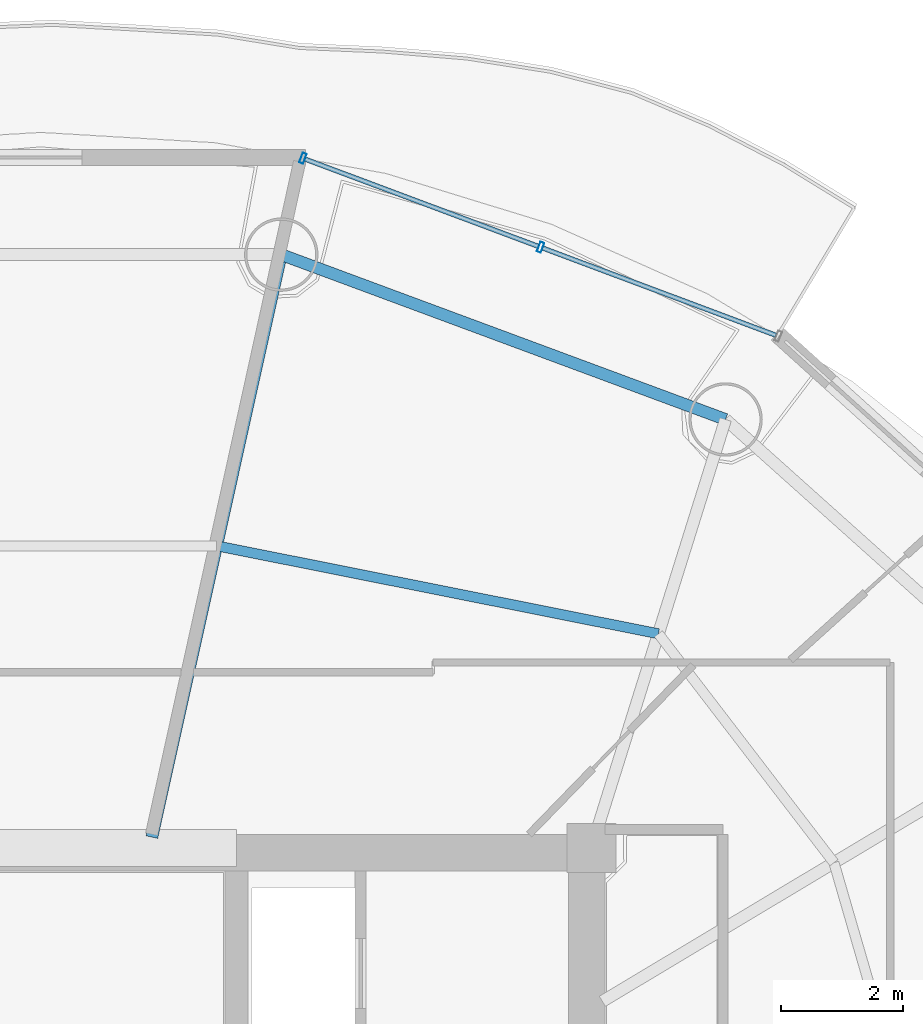
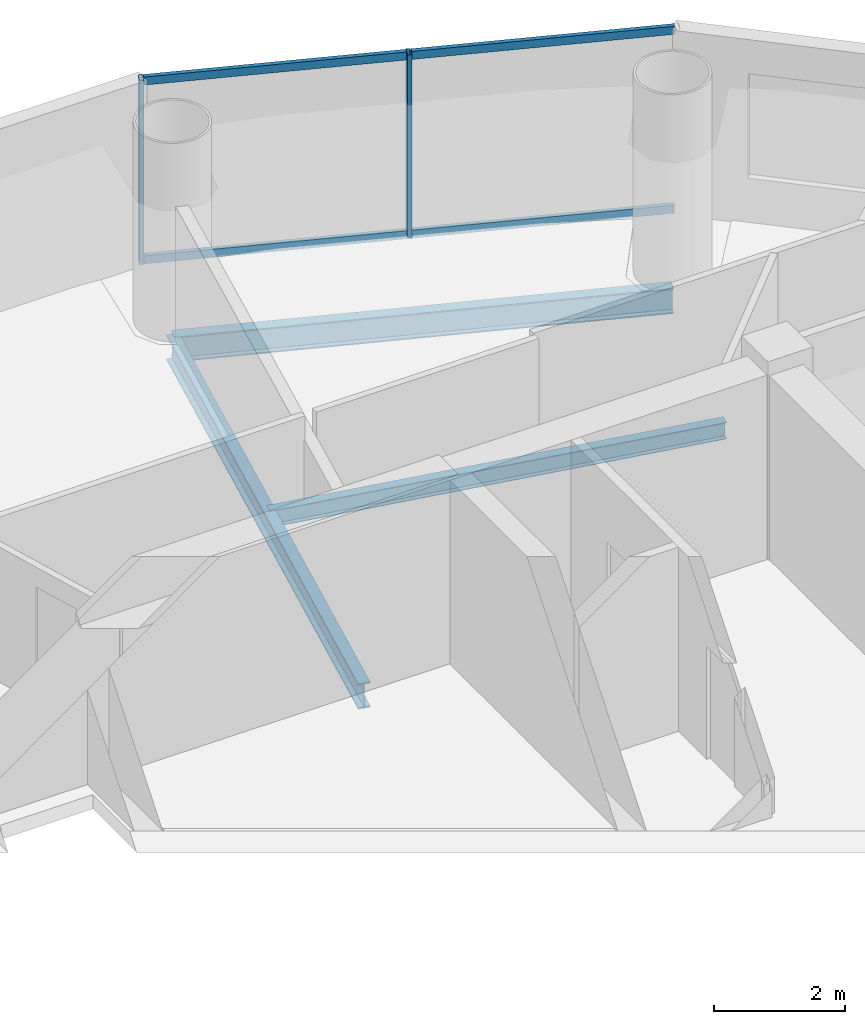
# One storey, part 17 of 26: 6 members, 3 beams, 1 element without a shape of its own.
"""IFC4 building model written with IfcOpenShell, lengths in metres."""

from ifc_helpers import new_model, si_unit, direction, frame, origin, origin_2d, place, context, subcontext, project, spatial, hollow_rectangle, i_section, extrude, source, transform, mapped, material, material_profile, profile_set, type_object, element, aggregate, save


model = new_model("IFC4")

# Units and contexts
model_context = context("Model", 3, precision=1e-05, world=origin(), true_north=direction((-0.2419218956, 0.970295726276)))
body_context = subcontext(model_context, "Body", "Model", "MODEL_VIEW")
ifc_project = project(units=[si_unit("LENGTHUNIT", "METRE"), si_unit("AREAUNIT", "SQUARE_METRE"), si_unit("VOLUMEUNIT", "CUBIC_METRE"), si_unit("PLANEANGLEUNIT", "RADIAN"), si_unit("MASSUNIT", "GRAM", prefix="KILO")], contexts=[model_context])

# Site, building, storey
site_placement = place(None, origin())
site = spatial("IfcSite", under=ifc_project, at=site_placement, CompositionType="ELEMENT")
building_placement = place(site_placement, origin())
building = spatial("IfcBuilding", under=site, at=building_placement, Name="Cobrevalo Terracotta Tower", CompositionType="ELEMENT")
storey_placement = place(building_placement, frame((0.0, 0.0, 231.89990234375)))
storey = spatial("IfcBuildingStorey", under=building, at=storey_placement, Name="L61", CompositionType="ELEMENT", Elevation=231.89990234375)

# Beams
ifc_material_1 = material(Name="Steel S355", Category="steel")
ifc_material_profile_1 = material_profile(ifc_material_1, i_section(OverallWidth=0.194091796875, OverallDepth=0.468994140625, WebThickness=0.011474609375, FlangeThickness=0.0205078125, at=origin_2d()), Name="W 460x106")
ifc_profile_set_1 = profile_set([ifc_material_profile_1], Name="Steel S355")
beam_type_1 = type_object("IfcBeamType", Name="Structural Beam W 460x106 (Steel S355)", PredefinedType="BEAM", material=ifc_profile_set_1)
beam_1_placement = place(storey_placement, frame((41.93115234375, 44.503173828125, -0.49951171875), z_axis=(-0.216782061165, -0.976220025382, 0.0), x_axis=(0.976220025382, -0.216782061165, 0.0)))
element("IfcBeam", 1, at=beam_1_placement, inside=storey, type_object=beam_type_1, Name="L61 radial floor girder 04", PredefinedType="BEAM", context=body_context, shape_type="SweptSolid", body=[
    extrude(i_section(OverallWidth=0.194091796875, OverallDepth=0.468994140625, WebThickness=0.011474609375, FlangeThickness=0.0205078125, at=origin_2d()), origin(), (0.0, 0.0, 1.0), 9.755126953125),
])
ifc_material_profile_2 = material_profile(ifc_material_1, i_section(OverallWidth=0.1650390625, OverallDepth=0.31005859375, WebThickness=0.005859375, FlangeThickness=0.009765625, at=origin_2d()), Name="W 310x38.7")
ifc_profile_set_2 = profile_set([ifc_material_profile_2], Name="Steel S355")
beam_type_2 = type_object("IfcBeamType", Name="Structural Joist W 310x38.7 (Steel S355)", PredefinedType="JOIST", material=ifc_profile_set_2)
beam_2_placement = place(storey_placement, frame((48.097412109375, 38.303955078125, -0.419921875), z_axis=(-0.980762562197, 0.195204499418, 0.0), x_axis=(-0.195204499418, -0.980762562197, 0.0)))
element("IfcBeam", 2, at=beam_2_placement, inside=storey, type_object=beam_type_2, Name="L61 circumferential secondary floor joist 03", PredefinedType="JOIST", context=body_context, shape_type="SweptSolid", body=[
    extrude(i_section(OverallWidth=0.1650390625, OverallDepth=0.31005859375, WebThickness=0.005859375, FlangeThickness=0.009765625, at=origin_2d()), origin(), (0.0, 0.0, 1.0), 7.365234375),
])
ifc_material_profile_3 = material_profile(ifc_material_1, i_section(OverallWidth=0.194091796875, OverallDepth=0.468994140625, WebThickness=0.011474609375, FlangeThickness=0.0205078125, at=origin_2d()), Name="W 460x106")
ifc_profile_set_3 = profile_set([ifc_material_profile_3], Name="Steel S355")
beam_type_3 = type_object("IfcBeamType", Name="Structural Spandrel W 460x106 (Steel S355)", PredefinedType="SPANDREL", material=ifc_profile_set_3)
beam_3_placement = place(storey_placement, frame((49.19482421875, 41.80810546875, -0.49951171875), z_axis=(-0.937545996665, 0.347861328892, 0.0), x_axis=(-0.347861328892, -0.937545996665, 0.0)))
element("IfcBeam", 3, at=beam_3_placement, inside=storey, type_object=beam_type_3, Name="L61 perimeter ring spandrel 03", PredefinedType="SPANDREL", context=body_context, shape_type="SweptSolid", body=[
    extrude(i_section(OverallWidth=0.194091796875, OverallDepth=0.468994140625, WebThickness=0.011474609375, FlangeThickness=0.0205078125, at=origin_2d()), origin(), (0.0, 0.0, 1.0), 7.74755859375),
])

# Curtain wall, members
ifc_material_2 = material(Name="Anodized aluminium", Category="aluminium")
curtain_wall_type = type_object("IfcCurtainWallType", Name="Mid-tower high-wind unitised curtain wall CW-U2", PredefinedType="NOTDEFINED", material=ifc_material_2)
curtain_wall_placement = place(storey_placement, origin())
curtain_wall = element("IfcCurtainWall", 4, at=curtain_wall_placement, inside=storey, type_object=curtain_wall_type, Name="L61 curtain wall CW-L61-S03", PredefinedType="NOTDEFINED")
ifc_material_profile_4 = material_profile(ifc_material_2, hollow_rectangle(XDim=0.074951171875, YDim=0.14990234375, WallThickness=0.00439453125, at=origin_2d()), Name="CWT 75x150")
ifc_profile_set_4 = profile_set([ifc_material_profile_4], Name="Anodized aluminium")
member_type_1 = type_object("IfcMemberType", Name="Tower unitised aluminium transom 75x150", PredefinedType="USERDEFINED", material=ifc_profile_set_4)
shared_shape_1 = source(origin(), body_context, "Body", "SweptSolid", [
    extrude(hollow_rectangle(XDim=0.074951171875, YDim=0.14990234375, WallThickness=0.00439453125, at=origin_2d()), origin(), (0.0, 0.0, 1.0), 4.069580078125),
])
member_1_placement = place(storey_placement, frame((50.019775390625, 43.18310546875, 0.050048828125), z_axis=(-0.936548420649, 0.350538237259, 0.0), x_axis=(-0.350538237259, -0.936548420649, 0.0)))
member_1 = element("IfcMember", 5, at=member_1_placement, type_object=member_type_1, Name="CW-L61-S03 transom B01-T1", ObjectType="TRANSOM", PredefinedType="USERDEFINED", context=body_context, shape_type="MappedRepresentation", body=[
    mapped(shared_shape_1, transform((0.0, 0.0, 0.0), scale=1.0)),
])
member_2_placement = place(storey_placement, frame((50.019775390625, 43.18310546875, 3.385009765625), z_axis=(-0.936548420649, 0.350538237259, 0.0), x_axis=(-0.350538237259, -0.936548420649, 0.0)))
member_2 = element("IfcMember", 6, at=member_2_placement, type_object=member_type_1, Name="CW-L61-S03 transom B01-T2", ObjectType="TRANSOM", PredefinedType="USERDEFINED", context=body_context, shape_type="MappedRepresentation", body=[
    mapped(shared_shape_1, transform((0.0, 0.0, 0.0), scale=1.0)),
])
shared_shape_2 = source(origin(), body_context, "Body", "SweptSolid", [
    extrude(hollow_rectangle(XDim=0.074951171875, YDim=0.14990234375, WallThickness=0.00439453125, at=origin_2d()), origin(), (0.0, 0.0, 1.0), 4.06982421875),
])
member_3_placement = place(storey_placement, frame((46.133544921875, 44.637451171875, 0.050048828125), z_axis=(-0.936555791772, 0.350518542873, 0.0), x_axis=(-0.350518542873, -0.936555791772, 0.0)))
member_3 = element("IfcMember", 7, at=member_3_placement, type_object=member_type_1, Name="CW-L61-S03 transom B02-T1", ObjectType="TRANSOM", PredefinedType="USERDEFINED", context=body_context, shape_type="MappedRepresentation", body=[
    mapped(shared_shape_2, transform((0.0, 0.0, 0.0), scale=1.0)),
])
member_4_placement = place(storey_placement, frame((46.133544921875, 44.637451171875, 3.385009765625), z_axis=(-0.936555791772, 0.350518542873, 0.0), x_axis=(-0.350518542873, -0.936555791772, 0.0)))
member_4 = element("IfcMember", 8, at=member_4_placement, type_object=member_type_1, Name="CW-L61-S03 transom B02-T2", ObjectType="TRANSOM", PredefinedType="USERDEFINED", context=body_context, shape_type="MappedRepresentation", body=[
    mapped(shared_shape_2, transform((0.0, 0.0, 0.0), scale=1.0)),
])
ifc_material_profile_5 = material_profile(ifc_material_2, hollow_rectangle(XDim=0.070068359375, YDim=0.169921875, WallThickness=0.00439453125, at=origin_2d()), Name="CWM 70x170")
ifc_profile_set_5 = profile_set([ifc_material_profile_5], Name="Anodized aluminium")
member_type_2 = type_object("IfcMemberType", Name="Upper tower unitised mullion 70x170", PredefinedType="MULLION", material=ifc_profile_set_5)
shared_shape_3 = source(origin(), body_context, "Body", "SweptSolid", [
    extrude(hollow_rectangle(XDim=0.070068359375, YDim=0.169921875, WallThickness=0.00439453125, at=origin_2d()), origin(), (0.0, 0.0, 1.0), 3.43505859375),
])
member_5_placement = place(storey_placement, frame((46.1708984375, 44.62353515625, 0.0), z_axis=(0.0, 0.0, 1.0), x_axis=(-0.936556004584, 0.350517974259, 0.0)))
member_5 = element("IfcMember", 9, at=member_5_placement, type_object=member_type_2, Name="CW-L61-S03 vertical mullion 02", PredefinedType="MULLION", context=body_context, shape_type="MappedRepresentation", body=[
    mapped(shared_shape_3, transform((0.0, 0.0, 0.0), scale=1.0)),
])
member_6_placement = place(storey_placement, frame((42.28466796875, 46.078125, 0.0), z_axis=(0.0, 0.0, 1.0), x_axis=(-0.936556004584, 0.350517974259, 0.0)))
member_6 = element("IfcMember", 10, at=member_6_placement, type_object=member_type_2, Name="CW-L61-S03 vertical mullion 03", PredefinedType="MULLION", context=body_context, shape_type="MappedRepresentation", body=[
    mapped(shared_shape_3, transform((0.0, 0.0, 0.0), scale=1.0)),
])
aggregate(curtain_wall, [member_5, member_6, member_1, member_2, member_3, member_4])

save(model, "model.ifc")
